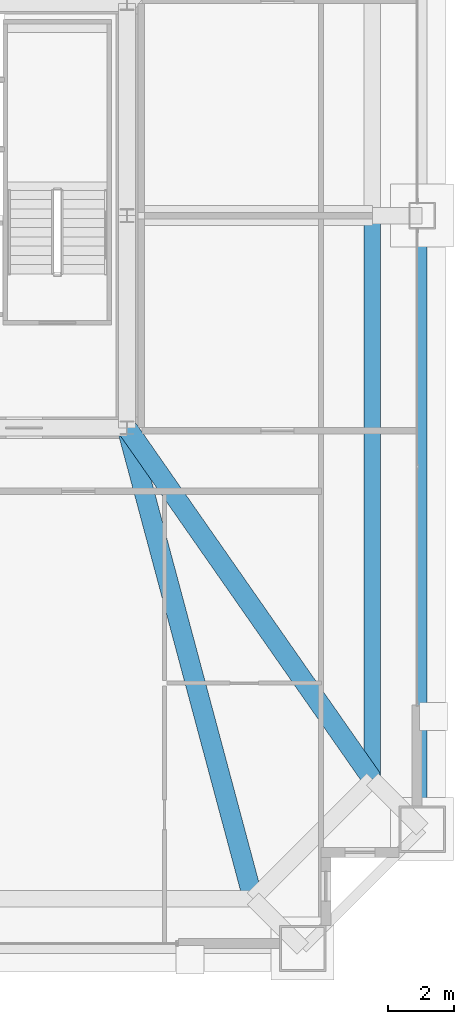
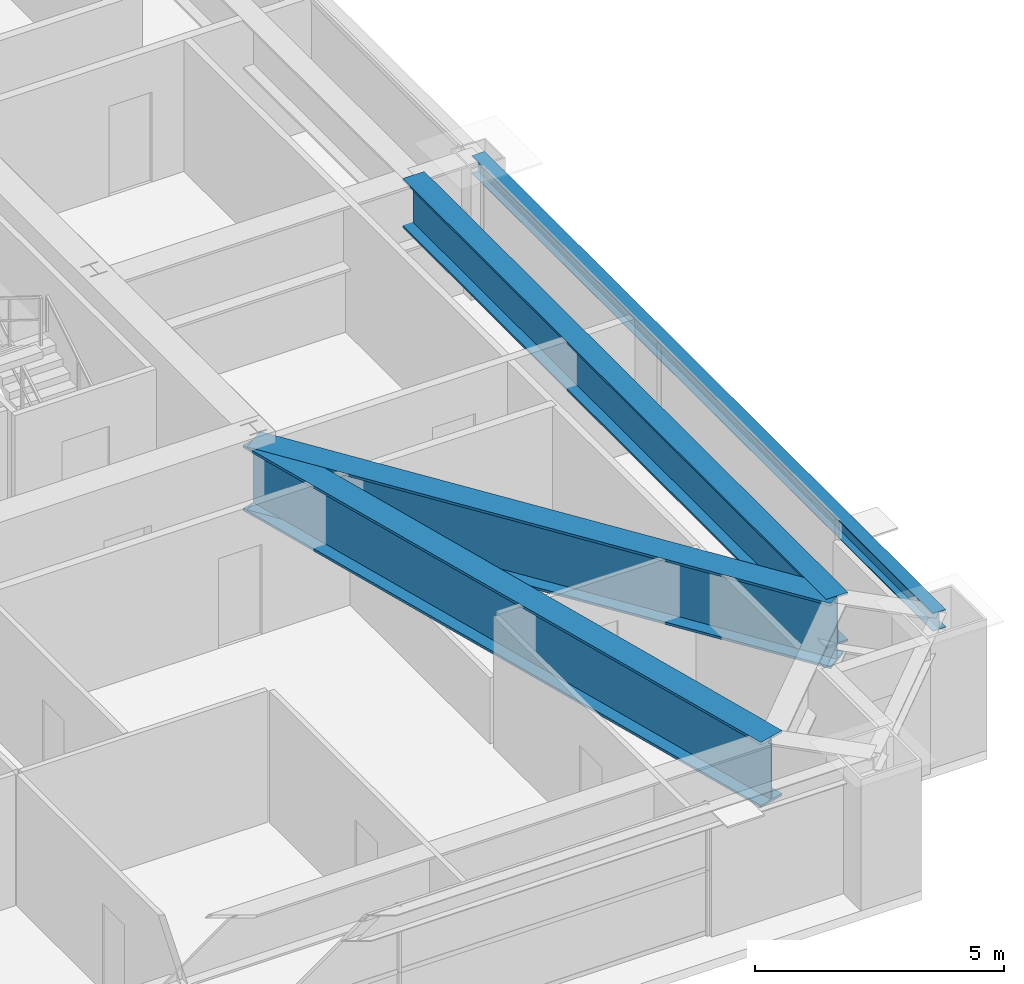
# One storey, part 17 of 39: 4 beams.
"""IFC4 building model written with IfcOpenShell, lengths in metres."""

from ifc_helpers import new_model, si_unit, direction, frame, origin, origin_2d, place, context, subcontext, project, spatial, i_section, extrude, source, transform, mapped, material, material_profile, profile_set, type_object, element, save


model = new_model("IFC4")

# Units and contexts
model_context = context("Model", 3, precision=1e-05, world=origin(), true_north=direction((0.0, 1.0)))
body_context = subcontext(model_context, "Body", "Model", "MODEL_VIEW")
ifc_project = project(units=[si_unit("LENGTHUNIT", "METRE"), si_unit("AREAUNIT", "SQUARE_METRE"), si_unit("VOLUMEUNIT", "CUBIC_METRE"), si_unit("PLANEANGLEUNIT", "RADIAN"), si_unit("MASSUNIT", "GRAM", prefix="KILO"), si_unit("THERMODYNAMICTEMPERATUREUNIT", "KELVIN"), si_unit("POWERUNIT", "WATT")], contexts=[model_context])

# Site, building, storey
site_placement = place(None, origin())
site = spatial("IfcSite", under=ifc_project, at=site_placement, CompositionType="ELEMENT")
building_placement = place(site_placement, origin())
building = spatial("IfcBuilding", under=site, at=building_placement, Name="Yuzanri Waterfront Tower", CompositionType="ELEMENT")
storey_placement = place(building_placement, frame((0.0, 0.0, 216.0)))
storey = spatial("IfcBuildingStorey", under=building, at=storey_placement, Name="L57", CompositionType="ELEMENT", Elevation=216.0)

# Beams
ifc_material_1 = material(Name="Steel Q355B", Category="steel")
ifc_material_profile_1 = material_profile(ifc_material_1, i_section(OverallWidth=0.300048828125, OverallDepth=0.43994140625, WebThickness=0.010986328125, FlangeThickness=0.01806640625, at=origin_2d()), Name="HM 440x300x11x18")
ifc_profile_set_1 = profile_set([ifc_material_profile_1], Name="Steel Q355B")
beam_type_1 = type_object("IfcBeamType", Name="Perimeter Spandrel Q355B HM 440x300", PredefinedType="SPANDREL", material=ifc_profile_set_1)
shared_shape_1 = source(origin(), body_context, "Body", "SweptSolid", [
    extrude(i_section(OverallWidth=0.300048828125, OverallDepth=0.43994140625, WebThickness=0.010986328125, FlangeThickness=0.01806640625, at=origin_2d()), origin(), (0.0, 0.0, 1.0), 18.5),
])
beam_1_placement = place(storey_placement, frame((59.10009765625, 7.300048828125, 3.0), z_axis=(0.0, 1.0, 0.0), x_axis=(-1.0, 0.0, 0.0)))
element("IfcBeam", 1, at=beam_1_placement, inside=storey, type_object=beam_type_1, Name="L57 Perimeter Spandrel E1-E2", PredefinedType="SPANDREL", context=body_context, shape_type="MappedRepresentation", body=[
    mapped(shared_shape_1, transform((0.0, 0.0, 0.0), scale=1.0)),
])
ifc_material_2 = material(Name="Steel Q420GJC", Category="steel")
ifc_material_profile_2 = material_profile(ifc_material_2, i_section(OverallWidth=0.60009765625, OverallDepth=1.60009765625, WebThickness=0.031982421875, FlangeThickness=0.06005859375, at=origin_2d()), Name="PG 1600x600x32x60")
ifc_profile_set_2 = profile_set([ifc_material_profile_2], Name="Steel Q420GJC")
beam_type_2 = type_object("IfcBeamType", Name="Ballroom Transfer Girder Q420GJC PG 1600x600", PredefinedType="USERDEFINED", material=ifc_profile_set_2)
shared_shape_2 = source(origin(), body_context, "Body", "SweptSolid", [
    extrude(i_section(OverallWidth=0.60009765625, OverallDepth=1.60009765625, WebThickness=0.031982421875, FlangeThickness=0.06005859375, at=origin_2d()), origin(), (0.0, 0.0, 1.0), 14.69970703125),
])
beam_2_placement = place(storey_placement, frame((50.199951171875, 19.39990234375, 2.419921875), z_axis=(0.258513312202, -0.966007695318, 0.0), x_axis=(0.966007695318, 0.258513312202, 0.0)))
element("IfcBeam", 2, at=beam_2_placement, inside=storey, type_object=beam_type_2, Name="L57 Setback Inner Transfer S3", ObjectType="GIRDER", PredefinedType="USERDEFINED", context=body_context, shape_type="MappedRepresentation", body=[
    mapped(shared_shape_2, transform((0.0, 0.0, 0.0), scale=1.0)),
])
shared_shape_3 = source(origin(), body_context, "Body", "SweptSolid", [
    extrude(i_section(OverallWidth=0.60009765625, OverallDepth=1.60009765625, WebThickness=0.031982421875, FlangeThickness=0.06005859375, at=origin_2d()), origin(), (0.0, 0.0, 1.0), 12.927490234375),
])
beam_3_placement = place(storey_placement, frame((50.199951171875, 19.39990234375, 2.419921875), z_axis=(0.572436504615, -0.819949052188, 0.0), x_axis=(0.819949052188, 0.572436504615, 0.0)))
element("IfcBeam", 3, at=beam_3_placement, inside=storey, type_object=beam_type_2, Name="L57 Setback Inner Transfer E1", ObjectType="GIRDER", PredefinedType="USERDEFINED", context=body_context, shape_type="MappedRepresentation", body=[
    mapped(shared_shape_3, transform((0.0, 0.0, 0.0), scale=1.0)),
])
ifc_material_3 = material(Name="Steel Q420GJC", Category="steel")
ifc_material_profile_3 = material_profile(ifc_material_3, i_section(OverallWidth=0.5, OverallDepth=1.199951171875, WebThickness=0.028076171875, FlangeThickness=0.050048828125, at=origin_2d()), Name="PG 1200x500x28x50")
ifc_profile_set_3 = profile_set([ifc_material_profile_3], Name="Steel Q420GJC")
beam_type_3 = type_object("IfcBeamType", Name="Setback Transfer Girder Q420GJC PG 1200x500", PredefinedType="USERDEFINED", material=ifc_profile_set_3)
shared_shape_4 = source(origin(), body_context, "Body", "SweptSolid", [
    extrude(i_section(OverallWidth=0.5, OverallDepth=1.199951171875, WebThickness=0.028076171875, FlangeThickness=0.050048828125, at=origin_2d()), origin(), (0.0, 0.0, 1.0), 17.0),
])
beam_4_placement = place(storey_placement, frame((57.60009765625, 8.800048828125, 2.6201171875), z_axis=(0.0, 1.0, 0.0), x_axis=(-1.0, 0.0, 0.0)))
element("IfcBeam", 4, at=beam_4_placement, inside=storey, type_object=beam_type_3, Name="L57 Setback Upper Ring E1-E2", ObjectType="GIRDER", PredefinedType="USERDEFINED", context=body_context, shape_type="MappedRepresentation", body=[
    mapped(shared_shape_4, transform((0.0, 0.0, 0.0), scale=1.0)),
])

save(model, "model.ifc")
